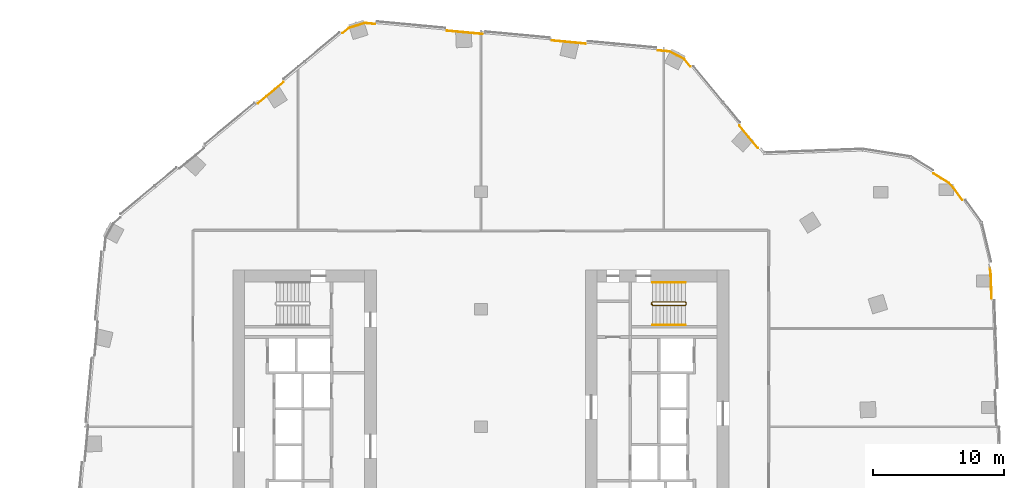
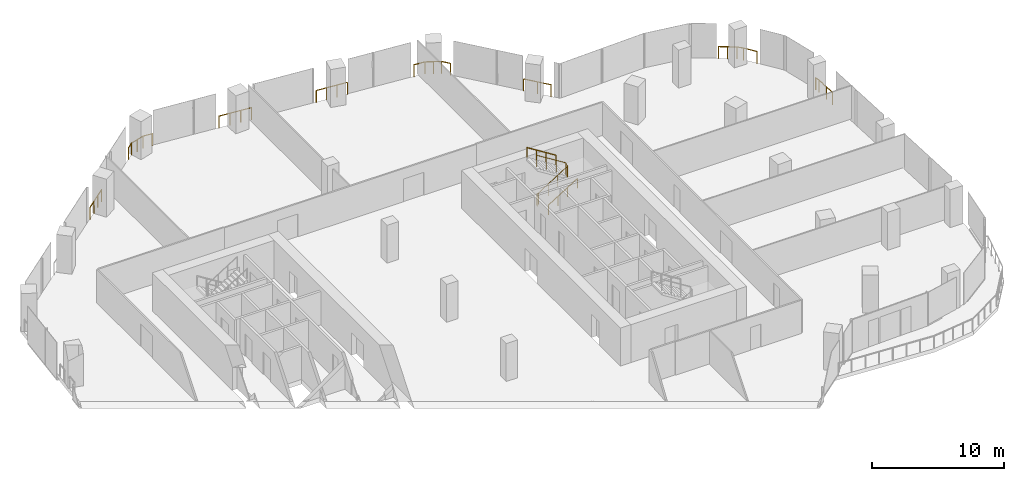
# One storey, part 27 of 28: 12 railings.
"""IFC4 building model written with IfcOpenShell, lengths in metres."""

import ifcopenshell
import ifcopenshell.guid

model = None  # the IFC model being written
_history = None  # IfcOwnerHistory: only IFC2X3 demands one
_inside = {}  # id of a spatial element -> (the spatial element, [elements in it])
_under = {}  # id of a project, library or spatial element -> (it, [spatial elements below it])
_declared = {}  # id of a project -> (the project, [libraries it declares])
_typed = {}  # id of a type object -> (the type object, [elements of that type])
_made_of = {}  # id of a material, layer set ... -> (it, [elements and type objects made of it])


def new_model(schema):
    """Start an empty IFC model of exactly this schema.

    Asked for "IFC4X3", IfcOpenShell would pick the latest addendum, in which some entities
    have other attributes; the version numbers below select the first issue.
    IFC2X3 requires an IfcOwnerHistory on every rooted entity: one is made here for all.
    """
    global model, _history
    if schema == "IFC4X3":
        model = ifcopenshell.file(schema_version=(4, 3, 0, 0))
    else:
        model = ifcopenshell.file(schema=schema)
    _inside.clear()
    _under.clear()
    _declared.clear()
    _typed.clear()
    _made_of.clear()
    _history = None
    if model.schema == "IFC2X3":
        org = make("IfcOrganization", Name="unknown")
        user = make(
            "IfcPersonAndOrganization",
            ThePerson=make("IfcPerson", FamilyName="unknown"),
            TheOrganization=org,
        )
        app = make(
            "IfcApplication",
            ApplicationDeveloper=org,
            Version="unknown",
            ApplicationFullName="unknown",
            ApplicationIdentifier="unknown",
        )
        _history = make(
            "IfcOwnerHistory",
            OwningUser=user,
            OwningApplication=app,
            ChangeAction="ADDED",
            CreationDate=0,
        )
    return model


def make(cls, **values):
    """One entity of the class cls with the attributes given. An attribute that is None is left unset."""
    return model.create_entity(
        cls, **{name: value for name, value in values.items() if value is not None}
    )


def rooted(cls, **values):
    """An entity with a GlobalId (a new one), such as an element, a storey or a relation."""
    return make(cls, GlobalId=ifcopenshell.guid.new(), OwnerHistory=_history, **values)


def si_unit(unit_type, name, prefix=None):
    """IfcSIUnit, for example si_unit("LENGTHUNIT", "METRE", prefix="MILLI")."""
    return make("IfcSIUnit", UnitType=unit_type, Prefix=prefix, Name=name)


def assignment(units):
    """IfcUnitAssignment: the units of a project."""
    return None if units is None else make("IfcUnitAssignment", Units=units)


def point(xyz):
    """IfcCartesianPoint."""
    return None if xyz is None else make("IfcCartesianPoint", Coordinates=xyz)


def direction(xyz):
    """IfcDirection."""
    return None if xyz is None else make("IfcDirection", DirectionRatios=xyz)


def frame(location, z_axis=None, x_axis=None):
    """IfcAxis2Placement3D, a coordinate frame: its origin and axes. An axis left out is left unset."""
    return make(
        "IfcAxis2Placement3D",
        Location=point(location),
        Axis=direction(z_axis),
        RefDirection=direction(x_axis),
    )


def frame_2d(location, x_axis=None):
    """IfcAxis2Placement2D, a coordinate frame in the plane: its origin and x axis."""
    return make(
        "IfcAxis2Placement2D", Location=point(location), RefDirection=direction(x_axis)
    )


def origin():
    """The frame at (0, 0, 0) with its axes left unset."""
    return frame((0.0, 0.0, 0.0))


def origin_2d():
    """The frame at (0, 0) in the plane with its x axis left unset."""
    return frame_2d((0.0, 0.0))


def place(relative_to, where):
    """IfcLocalPlacement: puts the frame where relative to a parent placement (None: the world)."""
    return make(
        "IfcLocalPlacement", PlacementRelTo=relative_to, RelativePlacement=where
    )


def context(
    kind, dimensions, precision=None, world=None, true_north=None, identifier=None
):
    """IfcGeometricRepresentationContext, for example the 3D "Model" context."""
    return make(
        "IfcGeometricRepresentationContext",
        ContextIdentifier=identifier,
        ContextType=kind,
        CoordinateSpaceDimension=dimensions,
        Precision=precision,
        WorldCoordinateSystem=world,
        TrueNorth=true_north,
    )


def subcontext(parent, identifier, kind, view, scale=None):
    """IfcGeometricRepresentationSubContext, for example "Body" below "Model"."""
    return make(
        "IfcGeometricRepresentationSubContext",
        ContextIdentifier=identifier,
        ContextType=kind,
        ParentContext=parent,
        TargetScale=scale,
        TargetView=view,
    )


def project(units=None, contexts=None):
    """IfcProject with its units and contexts."""
    return rooted(
        "IfcProject",
        Name="project",
        RepresentationContexts=contexts,
        UnitsInContext=assignment(units),
    )


def spatial(cls, under=None, at=None, **own):
    """A site, building, storey or space (cls), placed at a placement, below another one or the project."""
    s = rooted(cls, ObjectPlacement=at, **own)
    if under is not None:
        _under.setdefault(under.id(), (under, []))[1].append(s)
    return s


def profile(cls, at=None, kind="AREA", **sizes):
    """A parametric profile (cls). Its sizes go by their IFC names, for example OverallWidth=200.0."""
    return make(cls, ProfileType=kind, Position=at, **sizes)


def circle(**sizes):
    """IfcCircleProfileDef."""
    return profile("IfcCircleProfileDef", **sizes)


def extrude(swept, where, along, depth):
    """IfcExtrudedAreaSolid: the profile swept, set in the frame where, extruded along a direction by depth."""
    return make(
        "IfcExtrudedAreaSolid",
        SweptArea=swept,
        Position=where,
        ExtrudedDirection=direction(along),
        Depth=depth,
    )


def shape(context_of_items, identifier, shape_type, items):
    """IfcShapeRepresentation: the items that make up one representation, for example the "Body"."""
    return make(
        "IfcShapeRepresentation",
        ContextOfItems=context_of_items,
        RepresentationIdentifier=identifier,
        RepresentationType=shape_type,
        Items=items,
    )


def material(Name=None, Category=None):
    """IfcMaterial."""
    return make("IfcMaterial", Name=Name, Category=Category)


def made_of(thing, what):
    """Note that an element or type object is made of a material, layer set ...; save() writes the relation."""
    if what is not None:
        _made_of.setdefault(what.id(), (what, []))[1].append(thing)
    return thing


def type_object(cls, material=None, **own):
    """A type object (cls), such as IfcWallType, which elements share."""
    return made_of(rooted(cls, **own), material)


def element(
    cls,
    number,
    at=None,
    inside=None,
    cuts=None,
    type_object=None,
    material=None,
    context=None,
    identifier="Body",
    shape_type=None,
    held_by="IfcProductDefinitionShape",
    body=None,
    shapes=None,
    **own,
):
    """One element of the class cls, such as IfcWall. Its Tag is "e" and its number.

    at: its placement. inside: the storey or other place that contains it. cuts: it is an
    opening in that element (IfcRelVoidsElement). A single representation is given by context,
    identifier, shape_type and body (its items); several are given by shapes. held_by: the class
    of the entity that holds the representations. save() writes the other relations.
    """
    e = rooted(cls, Tag="e%d" % number, ObjectPlacement=at, **own)
    if body is not None:
        shapes = [shape(context, identifier, shape_type, body)]
    if shapes is not None:
        e.Representation = make(held_by, Representations=shapes)
    if inside is not None:
        _inside.setdefault(inside.id(), (inside, []))[1].append(e)
    if cuts is not None:
        rooted(
            "IfcRelVoidsElement", RelatingBuildingElement=cuts, RelatedOpeningElement=e
        )
    if type_object is not None:
        _typed.setdefault(type_object.id(), (type_object, []))[1].append(e)
    return made_of(e, material)


def aggregate(whole, parts):
    """IfcRelAggregates: a whole, such as a stair, and the parts it consists of."""
    return rooted("IfcRelAggregates", RelatingObject=whole, RelatedObjects=parts)


def save(model, path):
    """Write the relations noted so far, then the file.

    IfcRelAggregates (storeys below a building ...), IfcRelContainedInSpatialStructure (elements
    in a storey), IfcRelDefinesByType, IfcRelAssociatesMaterial and IfcRelDeclares: one each for
    every whole, place, type object, material and project.
    """
    for whole, parts in _under.values():
        aggregate(whole, parts)
    for where, things in _inside.values():
        rooted(
            "IfcRelContainedInSpatialStructure",
            RelatedElements=things,
            RelatingStructure=where,
        )
    for kind, things in _typed.values():
        rooted("IfcRelDefinesByType", RelatedObjects=things, RelatingType=kind)
    for what, things in _made_of.values():
        rooted("IfcRelAssociatesMaterial", RelatedObjects=things, RelatingMaterial=what)
    for by, libraries in _declared.values():
        rooted("IfcRelDeclares", RelatingContext=by, RelatedDefinitions=libraries)
    model.write(path)


model = new_model("IFC4")

# Units and contexts
model_context = context("Model", 3, precision=1e-05, world=origin(), true_north=direction((0.0, 1.0)))
body_context = subcontext(model_context, "Body", "Model", "MODEL_VIEW")
ifc_project = project(units=[si_unit("LENGTHUNIT", "METRE"), si_unit("AREAUNIT", "SQUARE_METRE"), si_unit("VOLUMEUNIT", "CUBIC_METRE"), si_unit("PLANEANGLEUNIT", "RADIAN"), si_unit("MASSUNIT", "GRAM", prefix="KILO")], contexts=[model_context])

# Site, building, storey
site_placement = place(None, origin())
site = spatial("IfcSite", under=ifc_project, at=site_placement, CompositionType="ELEMENT")
building_placement = place(site_placement, origin())
building = spatial("IfcBuilding", under=site, at=building_placement, Name="Orlundy Tower", CompositionType="ELEMENT")
storey_placement = place(building_placement, frame((0.0, 0.0, 167.10009765625)))
storey = spatial("IfcBuildingStorey", under=building, at=storey_placement, Name="L43", CompositionType="ELEMENT", Elevation=167.10009765625)

# Railings
ifc_material_1 = material(Name="Steel balustrade", Category="steel")
railing_type_1 = type_object("IfcRailingType", Name="Stair Guard 1100", PredefinedType="GUARDRAIL", material=ifc_material_1)
railing_1_placement = place(storey_placement, frame((13.090087890625, 9.35009765625, 0.0)))
element("IfcRailing", 1, at=railing_1_placement, inside=storey, type_object=railing_type_1, Name="L43 ST-E2 stair guard 1", PredefinedType="GUARDRAIL", context=body_context, shape_type="SweptSolid", body=[
    extrude(circle(Radius=0.02392578125, at=origin_2d()), frame((0.0, 0.0, 1.076171875), z_axis=(0.0, 1.0, 0.0), x_axis=(-1.0, 0.0, 0.0)), (0.0, 0.0, 1.0), 0.14990234375),
    extrude(circle(Radius=0.02392578125, at=origin_2d()), frame((0.0, 0.14990234375, 1.076171875), z_axis=(0.184313129624, -0.739963005698, 0.646902945152), x_axis=(0.970351222016, 0.241699205484, 0.0)), (0.0, 0.0, 1.0), 0.270263671875),
    extrude(circle(Radius=0.02392578125, at=origin_2d()), frame((0.0498046875, -0.050048828125, 1.2509765625), z_axis=(0.847970611238, 0.0, 0.530043245855), x_axis=(0.0, 1.0, 0.0)), (0.0, 0.0, 1.0), 2.971923828125),
    extrude(circle(Radius=0.02392578125, at=origin_2d()), frame((2.56982421875, -0.050048828125, 2.826171875), z_axis=(0.707106781187, 0.707106781187, 0.0), x_axis=(-0.707106781187, 0.707106781187, 0.0)), (0.0, 0.0, 1.0), 0.07080078125),
    extrude(circle(Radius=0.02392578125, at=origin_2d()), frame((2.619873046875, 0.0, 2.826171875), z_axis=(0.0, 1.0, 0.0), x_axis=(-1.0, 0.0, 0.0)), (0.0, 0.0, 1.0), 0.14990234375),
    extrude(circle(Radius=0.02392578125, at=origin_2d()), frame((2.619873046875, 0.14990234375, 2.826171875), z_axis=(-0.265383341853, 0.265383341853, 0.926899867156), x_axis=(-0.707106781187, -0.707106781187, 0.0)), (0.0, 0.0, 1.0), 0.1884765625),
    extrude(circle(Radius=0.02392578125, at=origin_2d()), frame((2.56982421875, 0.199951171875, 3.0009765625), z_axis=(-0.847970611238, 0.0, 0.530043245855), x_axis=(0.0, -1.0, 0.0)), (0.0, 0.0, 1.0), 2.971923828125),
    extrude(circle(Radius=0.02099609375, at=origin_2d()), origin(), (0.0, 0.0, 1.0), 1.052001953125),
    extrude(circle(Radius=0.02099609375, at=origin_2d()), frame((0.0, 0.14990234375, 0.0)), (0.0, 0.0, 1.0), 1.052001953125),
    extrude(circle(Radius=0.02099609375, at=origin_2d()), frame((0.0498046875, -0.050048828125, 0.1748046875)), (0.0, 0.0, 1.0), 1.052001953125),
    extrude(circle(Radius=0.02099609375, at=origin_2d()), frame((0.889892578125, -0.050048828125, 0.699951171875)), (0.0, 0.0, 1.0), 1.052001953125),
    extrude(circle(Radius=0.02099609375, at=origin_2d()), frame((1.729736328125, -0.050048828125, 1.224853515625)), (0.0, 0.0, 1.0), 1.052001953125),
    extrude(circle(Radius=0.02099609375, at=origin_2d()), frame((2.56982421875, -0.050048828125, 1.75)), (0.0, 0.0, 1.0), 1.052001953125),
    extrude(circle(Radius=0.02099609375, at=origin_2d()), frame((2.619873046875, 0.0, 1.75)), (0.0, 0.0, 1.0), 1.052001953125),
    extrude(circle(Radius=0.02099609375, at=origin_2d()), frame((2.619873046875, 0.14990234375, 1.75)), (0.0, 0.0, 1.0), 1.052001953125),
    extrude(circle(Radius=0.02099609375, at=origin_2d()), frame((2.56982421875, 0.199951171875, 1.9248046875)), (0.0, 0.0, 1.0), 1.052001953125),
    extrude(circle(Radius=0.02099609375, at=origin_2d()), frame((1.729736328125, 0.199951171875, 2.449951171875)), (0.0, 0.0, 1.0), 1.052001953125),
    extrude(circle(Radius=0.02099609375, at=origin_2d()), frame((0.889892578125, 0.199951171875, 2.974853515625)), (0.0, 0.0, 1.0), 1.052001953125),
    extrude(circle(Radius=0.02099609375, at=origin_2d()), frame((0.0498046875, 0.199951171875, 3.5)), (0.0, 0.0, 1.0), 1.052001953125),
])
ifc_material_2 = material(Name="Steel handrail", Category="steel")
railing_type_2 = type_object("IfcRailingType", Name="Stair Handrail 900", PredefinedType="HANDRAIL", material=ifc_material_2)
railing_2_placement = place(storey_placement, frame((13.139892578125, 7.800048828125, 0.1748046875)))
element("IfcRailing", 2, at=railing_2_placement, inside=storey, type_object=railing_type_2, Name="L43 ST-E2 stair handrail 1", PredefinedType="HANDRAIL", context=body_context, shape_type="SweptSolid", body=[
    extrude(circle(Radius=0.02392578125, at=origin_2d()), frame((0.0, 0.0, 0.8759765625), z_axis=(0.847970611238, 0.0, 0.530043245855), x_axis=(0.0, 1.0, 0.0)), (0.0, 0.0, 1.0), 2.971923828125),
    extrude(circle(Radius=0.02099609375, at=origin_2d()), origin(), (0.0, 0.0, 1.0), 0.851806640625),
    extrude(circle(Radius=0.02099609375, at=origin_2d()), frame((0.840087890625, 0.0, 0.525146484375)), (0.0, 0.0, 1.0), 0.851806640625),
    extrude(circle(Radius=0.02099609375, at=origin_2d()), frame((1.679931640625, 0.0, 1.050048828125)), (0.0, 0.0, 1.0), 0.851806640625),
    extrude(circle(Radius=0.02099609375, at=origin_2d()), frame((2.52001953125, 0.0, 1.5751953125)), (0.0, 0.0, 1.0), 0.851806640625),
])
railing_3_placement = place(storey_placement, frame((15.659912109375, 11.050048828125, 1.9248046875)))
element("IfcRailing", 3, at=railing_3_placement, inside=storey, type_object=railing_type_2, Name="L43 ST-E2 stair handrail 2", PredefinedType="HANDRAIL", context=body_context, shape_type="SweptSolid", body=[
    extrude(circle(Radius=0.02392578125, at=origin_2d()), frame((0.0, 0.0, 0.8759765625), z_axis=(-0.847970611238, 0.0, 0.530043245855), x_axis=(0.0, -1.0, 0.0)), (0.0, 0.0, 1.0), 2.971923828125),
    extrude(circle(Radius=0.02099609375, at=origin_2d()), origin(), (0.0, 0.0, 1.0), 0.851806640625),
    extrude(circle(Radius=0.02099609375, at=origin_2d()), frame((-0.840087890625, 0.0, 0.525146484375)), (0.0, 0.0, 1.0), 0.851806640625),
    extrude(circle(Radius=0.02099609375, at=origin_2d()), frame((-1.679931640625, 0.0, 1.050048828125)), (0.0, 0.0, 1.0), 0.851806640625),
    extrude(circle(Radius=0.02099609375, at=origin_2d()), frame((-2.52001953125, 0.0, 1.5751953125)), (0.0, 0.0, 1.0), 0.851806640625),
])
ifc_material_3 = material(Name="Stainless steel bronze finish", Category="steel")
railing_type_3 = type_object("IfcRailingType", Name="TG1 terrace guard", PredefinedType="GUARDRAIL", material=ifc_material_3)
railing_4_placement = place(storey_placement, frame((34.66552734375, 19.3916015625, 0.0)))
element("IfcRailing", 4, at=railing_4_placement, inside=storey, type_object=railing_type_3, Name="Guard TG-L43-E00", PredefinedType="GUARDRAIL", context=body_context, shape_type="SweptSolid", body=[
    extrude(circle(Radius=0.02490234375, at=origin_2d()), frame((0.0, 0.0, 1.09521484375), z_axis=(0.851748825859, -0.523950319828, 0.0), x_axis=(0.523950319828, 0.851748825859, 0.0)), (0.0, 0.0, 1.0), 1.388916015625),
    extrude(circle(Radius=0.02490234375, at=origin_2d()), frame((1.18310546875, -0.727783203125, 1.09521484375), z_axis=(0.694394611519, -0.719594415969, 0.0), x_axis=(0.719594415969, 0.694394611519, 0.0)), (0.0, 0.0, 1.0), 0.523193359375),
    extrude(circle(Radius=0.02490234375, at=origin_2d()), frame((1.54638671875, -1.104248046875, 1.09521484375), z_axis=(0.586746272347, -0.809770839119, 0.0), x_axis=(0.809770839119, 0.586746272347, 0.0)), (0.0, 0.0, 1.0), 1.120849609375),
    extrude(circle(Radius=0.02001953125, at=origin_2d()), origin(), (0.0, 0.0, 1.0), 1.070068359375),
    extrude(circle(Radius=0.02001953125, at=origin_2d()), frame((0.591552734375, -0.36376953125, 0.0)), (0.0, 0.0, 1.0), 1.070068359375),
    extrude(circle(Radius=0.02001953125, at=origin_2d()), frame((1.18310546875, -0.727783203125, 0.0)), (0.0, 0.0, 1.0), 1.070068359375),
    extrude(circle(Radius=0.02001953125, at=origin_2d()), frame((1.54638671875, -1.104248046875, 0.0)), (0.0, 0.0, 1.0), 1.070068359375),
    extrude(circle(Radius=0.02001953125, at=origin_2d()), frame((2.2041015625, -2.011962890625, 0.0)), (0.0, 0.0, 1.0), 1.070068359375),
])
railing_5_placement = place(storey_placement, frame((13.55224609375, 28.824951171875, 0.0)))
element("IfcRailing", 5, at=railing_5_placement, inside=storey, type_object=railing_type_3, Name="Guard TG-L43-E02", PredefinedType="GUARDRAIL", context=body_context, shape_type="SweptSolid", body=[
    extrude(circle(Radius=0.02490234375, at=origin_2d()), frame((0.0, 0.0, 1.09521484375), z_axis=(0.995666759635, -0.092993030691, 0.0), x_axis=(0.092993030691, 0.995666759635, 0.0)), (0.0, 0.0, 1.0), 0.91357421875),
    extrude(circle(Radius=0.02490234375, at=origin_2d()), frame((0.90966796875, -0.0849609375, 1.09521484375), z_axis=(0.884286980166, -0.466943826074, 0.0), x_axis=(0.466943826074, 0.884286980166, 0.0)), (0.0, 0.0, 1.0), 1.260009765625),
    extrude(circle(Radius=0.02490234375, at=origin_2d()), frame((2.02392578125, -0.67333984375, 1.09521484375), z_axis=(0.638369768991, -0.769729847439, 0.0), x_axis=(0.769729847439, 0.638369768991, 0.0)), (0.0, 0.0, 1.0), 0.728515625),
    extrude(circle(Radius=0.02001953125, at=origin_2d()), origin(), (0.0, 0.0, 1.0), 1.070068359375),
    extrude(circle(Radius=0.02001953125, at=origin_2d()), frame((0.90966796875, -0.0849609375, 0.0)), (0.0, 0.0, 1.0), 1.070068359375),
    extrude(circle(Radius=0.02001953125, at=origin_2d()), frame((1.466796875, -0.379150390625, 0.0)), (0.0, 0.0, 1.0), 1.070068359375),
    extrude(circle(Radius=0.02001953125, at=origin_2d()), frame((2.02392578125, -0.67333984375, 0.0)), (0.0, 0.0, 1.0), 1.070068359375),
    extrude(circle(Radius=0.02001953125, at=origin_2d()), frame((2.489013671875, -1.234130859375, 0.0)), (0.0, 0.0, 1.0), 1.070068359375),
])
railing_6_placement = place(storey_placement, frame((-2.601806640625, 30.3330078125, 0.0)))
element("IfcRailing", 6, at=railing_6_placement, inside=storey, type_object=railing_type_3, Name="Guard TG-L43-E08", PredefinedType="GUARDRAIL", context=body_context, shape_type="SweptSolid", body=[
    extrude(circle(Radius=0.02490234375, at=origin_2d()), frame((0.0, 0.0, 1.09521484375), z_axis=(0.995673690567, -0.092918792037, 0.0), x_axis=(0.092918792037, 0.995673690567, 0.0)), (0.0, 0.0, 1.0), 2.724609375),
    extrude(circle(Radius=0.02001953125, at=origin_2d()), origin(), (0.0, 0.0, 1.0), 1.070068359375),
    extrude(circle(Radius=0.02001953125, at=origin_2d()), frame((0.904296875, -0.08447265625, 0.0)), (0.0, 0.0, 1.0), 1.070068359375),
    extrude(circle(Radius=0.02001953125, at=origin_2d()), frame((1.80859375, -0.168701171875, 0.0)), (0.0, 0.0, 1.0), 1.070068359375),
    extrude(circle(Radius=0.02001953125, at=origin_2d()), frame((2.712890625, -0.253173828125, 0.0)), (0.0, 0.0, 1.0), 1.070068359375),
])
railing_7_placement = place(storey_placement, frame((-10.58251953125, 30.145263671875, 0.0)))
element("IfcRailing", 7, at=railing_7_placement, inside=storey, type_object=railing_type_3, Name="Guard TG-L43-E010", PredefinedType="GUARDRAIL", context=body_context, shape_type="SweptSolid", body=[
    extrude(circle(Radius=0.02490234375, at=origin_2d()), frame((0.0, 0.0, 1.09521484375), z_axis=(0.770054084733, 0.637978609819, 0.0), x_axis=(-0.637978609819, 0.770054084733, 0.0)), (0.0, 0.0, 1.0), 0.632080078125),
    extrude(circle(Radius=0.02490234375, at=origin_2d()), frame((0.48681640625, 0.4033203125, 1.09521484375), z_axis=(0.955518868718, 0.294929977325, 0.0), x_axis=(-0.294929977325, 0.955518868718, 0.0)), (0.0, 0.0, 1.0), 1.260009765625),
    extrude(circle(Radius=0.02490234375, at=origin_2d()), frame((1.690673828125, 0.77490234375, 1.09521484375), z_axis=(0.995685579396, -0.092791308767, 0.0), x_axis=(0.092791308767, 0.995685579396, 0.0)), (0.0, 0.0, 1.0), 0.77099609375),
    extrude(circle(Radius=0.02001953125, at=origin_2d()), origin(), (0.0, 0.0, 1.0), 1.070068359375),
    extrude(circle(Radius=0.02001953125, at=origin_2d()), frame((0.48681640625, 0.4033203125, 0.0)), (0.0, 0.0, 1.0), 1.070068359375),
    extrude(circle(Radius=0.02001953125, at=origin_2d()), frame((1.0888671875, 0.589111328125, 0.0)), (0.0, 0.0, 1.0), 1.070068359375),
    extrude(circle(Radius=0.02001953125, at=origin_2d()), frame((1.690673828125, 0.77490234375, 0.0)), (0.0, 0.0, 1.0), 1.070068359375),
    extrude(circle(Radius=0.02001953125, at=origin_2d()), frame((2.458251953125, 0.703369140625, 0.0)), (0.0, 0.0, 1.0), 1.070068359375),
])
railing_8_placement = place(storey_placement, frame((5.45849609375, 29.58056640625, 0.0)))
element("IfcRailing", 8, at=railing_8_placement, inside=storey, type_object=railing_type_3, Name="Guard TG-L43-E014", PredefinedType="GUARDRAIL", context=body_context, shape_type="SweptSolid", body=[
    extrude(circle(Radius=0.02490234375, at=origin_2d()), frame((0.0, 0.0, 1.09521484375), z_axis=(0.995670128742, -0.09295695095, 0.0), x_axis=(0.09295695095, 0.995670128742, 0.0)), (0.0, 0.0, 1.0), 2.581787109375),
    extrude(circle(Radius=0.02001953125, at=origin_2d()), origin(), (0.0, 0.0, 1.0), 1.070068359375),
    extrude(circle(Radius=0.02001953125, at=origin_2d()), frame((0.85693359375, -0.080078125, 0.0)), (0.0, 0.0, 1.0), 1.070068359375),
    extrude(circle(Radius=0.02001953125, at=origin_2d()), frame((1.713623046875, -0.159912109375, 0.0)), (0.0, 0.0, 1.0), 1.070068359375),
    extrude(circle(Radius=0.02001953125, at=origin_2d()), frame((2.570556640625, -0.239990234375, 0.0)), (0.0, 0.0, 1.0), 1.070068359375),
])
railing_9_placement = place(storey_placement, frame((-17.056884765625, 24.7763671875, 0.0)))
element("IfcRailing", 9, at=railing_9_placement, inside=storey, type_object=railing_type_3, Name="Guard TG-L43-E015", PredefinedType="GUARDRAIL", context=body_context, shape_type="SweptSolid", body=[
    extrude(circle(Radius=0.02490234375, at=origin_2d()), frame((0.0, 0.0, 1.09521484375), z_axis=(0.769760271596, 0.638333082546, 0.0), x_axis=(-0.638333082546, 0.769760271596, 0.0)), (0.0, 0.0, 1.0), 2.531982421875),
    extrude(circle(Radius=0.02001953125, at=origin_2d()), origin(), (0.0, 0.0, 1.0), 1.070068359375),
    extrude(circle(Radius=0.02001953125, at=origin_2d()), frame((0.649658203125, 0.538818359375, 0.0)), (0.0, 0.0, 1.0), 1.070068359375),
    extrude(circle(Radius=0.02001953125, at=origin_2d()), frame((1.29931640625, 1.077392578125, 0.0)), (0.0, 0.0, 1.0), 1.070068359375),
    extrude(circle(Radius=0.02001953125, at=origin_2d()), frame((1.948974609375, 1.6162109375, 0.0)), (0.0, 0.0, 1.0), 1.070068359375),
])
railing_10_placement = place(storey_placement, frame((19.791015625, 23.068603515625, 0.0)))
element("IfcRailing", 10, at=railing_10_placement, inside=storey, type_object=railing_type_3, Name="Guard TG-L43-E017", PredefinedType="GUARDRAIL", context=body_context, shape_type="SweptSolid", body=[
    extrude(circle(Radius=0.02490234375, at=origin_2d()), frame((0.0, 0.0, 1.09521484375), z_axis=(0.638281924299, -0.769802692326, 0.0), x_axis=(0.769802692326, 0.638281924299, 0.0)), (0.0, 0.0, 1.0), 2.223876953125),
    extrude(circle(Radius=0.02001953125, at=origin_2d()), origin(), (0.0, 0.0, 1.0), 1.070068359375),
    extrude(circle(Radius=0.02001953125, at=origin_2d()), frame((0.709716796875, -0.85595703125, 0.0)), (0.0, 0.0, 1.0), 1.070068359375),
    extrude(circle(Radius=0.02001953125, at=origin_2d()), frame((1.41943359375, -1.7119140625, 0.0)), (0.0, 0.0, 1.0), 1.070068359375),
])
railing_11_placement = place(storey_placement, frame((38.98974609375, 12.17138671875, 0.0)))
element("IfcRailing", 11, at=railing_11_placement, inside=storey, type_object=railing_type_3, Name="Guard TG-L43-E020", PredefinedType="GUARDRAIL", context=body_context, shape_type="SweptSolid", body=[
    extrude(circle(Radius=0.02490234375, at=origin_2d()), frame((0.0, 0.0, 1.09521484375), z_axis=(0.135113204733, -0.990830168044, 0.0), x_axis=(0.990830168044, 0.135113204733, 0.0)), (0.0, 0.0, 1.0), 0.390380859375),
    extrude(circle(Radius=0.02490234375, at=origin_2d()), frame((0.052734375, -0.38671875, 1.09521484375), z_axis=(0.037905303552, -0.999281335742, 0.0), x_axis=(0.999281335742, 0.037905303552, 0.0)), (0.0, 0.0, 1.0), 1.101318359375),
    extrude(circle(Radius=0.02001953125, at=origin_2d()), origin(), (0.0, 0.0, 1.0), 1.070068359375),
    extrude(circle(Radius=0.02001953125, at=origin_2d()), frame((0.052734375, -0.38671875, 0.0)), (0.0, 0.0, 1.0), 1.070068359375),
    extrude(circle(Radius=0.02001953125, at=origin_2d()), frame((0.094482421875, -1.4873046875, 0.0)), (0.0, 0.0, 1.0), 1.070068359375),
])
railing_12_placement = place(storey_placement, frame((39.084228515625, 10.68408203125, 0.0)))
element("IfcRailing", 12, at=railing_12_placement, inside=storey, type_object=railing_type_3, Name="Guard TG-L43-E022", PredefinedType="GUARDRAIL", context=body_context, shape_type="SweptSolid", body=[
    extrude(circle(Radius=0.02490234375, at=origin_2d()), frame((0.0, 0.0, 1.09521484375), z_axis=(0.037896909039, -0.999281654132, 0.0), x_axis=(0.999281654132, 0.037896909039, 0.0)), (0.0, 0.0, 1.0), 0.85693359375),
    extrude(circle(Radius=0.02001953125, at=origin_2d()), origin(), (0.0, 0.0, 1.0), 1.070068359375),
    extrude(circle(Radius=0.02001953125, at=origin_2d()), frame((0.032470703125, -0.856201171875, 0.0)), (0.0, 0.0, 1.0), 1.070068359375),
])

save(model, "model.ifc")
